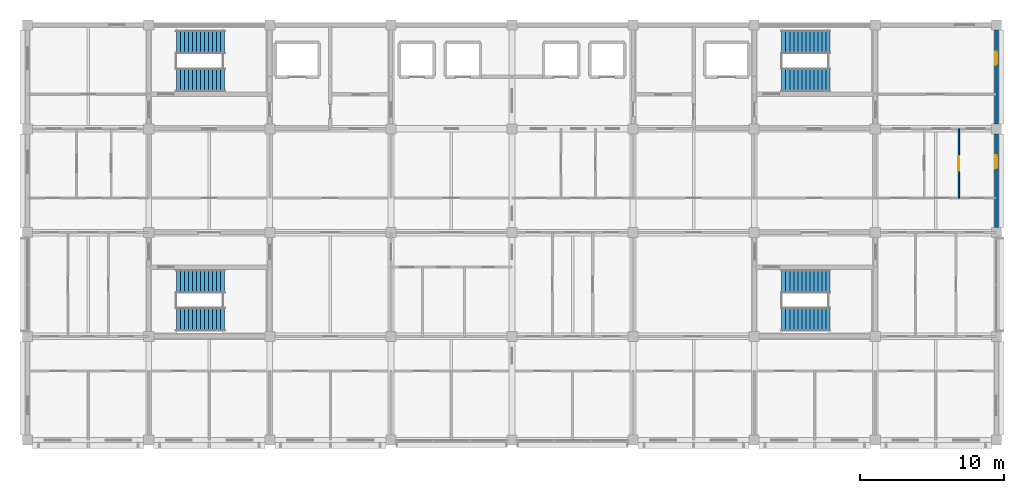
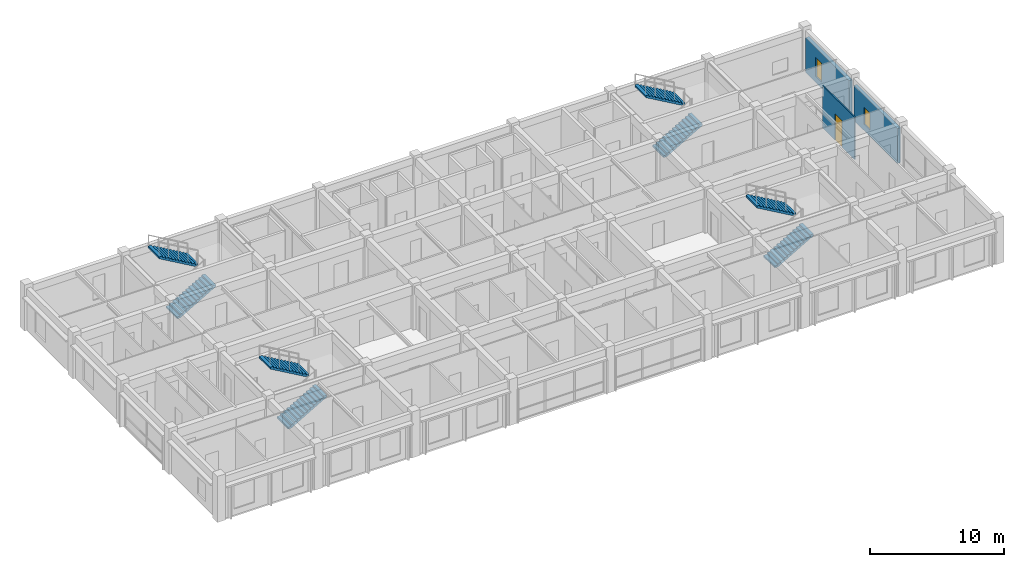
# One storey, part 17 of 19: 8 stair flights, 3 walls, 2 windows, 1 door, 3 openings, 4 elements without a shape of their own.
"""IFC4 building model written with IfcOpenShell, lengths in metres."""

from ifc_helpers import new_model, si_unit, direction, frame, frame_2d, origin, place, context, subcontext, project, spatial, polyline, rectangle, outline, extrude, material, layer, layer_set, type_object, element, fill, aggregate, save


model = new_model("IFC4")

# Units and contexts
model_context = context("Model", 3, precision=1e-05, world=origin(), true_north=direction((0.0, 1.0)))
body_context = subcontext(model_context, "Body", "Model", "MODEL_VIEW")
ifc_project = project(units=[si_unit("LENGTHUNIT", "METRE"), si_unit("AREAUNIT", "SQUARE_METRE"), si_unit("VOLUMEUNIT", "CUBIC_METRE"), si_unit("PLANEANGLEUNIT", "RADIAN"), si_unit("MASSUNIT", "GRAM", prefix="KILO")], contexts=[model_context])

# Site, building, storey
site_placement = place(None, origin())
site = spatial("IfcSite", under=ifc_project, at=site_placement, CompositionType="ELEMENT")
building_placement = place(site_placement, origin())
building = spatial("IfcBuilding", under=site, at=building_placement, Name="Chengyuan Square Courthouse", CompositionType="ELEMENT")
storey_placement = place(building_placement, frame((0.0, 0.0, 56.10009765625)))
storey = spatial("IfcBuildingStorey", under=building, at=storey_placement, Name="L13", CompositionType="ELEMENT", Elevation=56.10009765625)

# Wall, opening, window
ifc_material_1 = material(Name="Concrete C40", Category="concrete")
ifc_layer_1 = layer(ifc_material_1, 0.280029296875)
ifc_layer_set_1 = layer_set([ifc_layer_1], Name="Concrete C40")
wall_type_1 = type_object("IfcWallType", Name="WL-EW4", PredefinedType="STANDARD", material=ifc_layer_set_1)
wall_1_placement = place(storey_placement, frame((117.60009765625, 93.945068359375, 0.0), z_axis=(0.0, 0.0, 1.0), x_axis=(0.0, 1.0, 0.0)))
wall_1 = element("IfcWall", 1, at=wall_1_placement, inside=storey, type_object=wall_type_1, Name="Exterior Wall WL-L13-E505", PredefinedType="STANDARD", context=body_context, shape_type="SweptSolid", body=[
    extrude(rectangle(XDim=6.510009765625, YDim=0.280029296875, at=frame_2d((3.2548828125, 0.0))), origin(), (0.0, 0.0, 1.0), 3.199951171875),
])
opening_1_placement = place(wall_1_placement, frame((4.10498046875, 0.0, 0.550048828125)))
opening_1 = element("IfcOpeningElement", 2, at=opening_1_placement, cuts=wall_1, Name="Opening WN-237", PredefinedType="OPENING", context=body_context, shape_type="SweptSolid", body=[
    extrude(rectangle(XDim=0.89990234375, YDim=1.56005859375, at=frame_2d((0.449951171875, 0.780029296875))), frame((0.0, 0.152099609375, 0.0), z_axis=(0.0, -1.0, 0.0), x_axis=(1.0, 0.0, 0.0)), (0.0, 0.0, 1.0), 0.303955078125),
])
ifc_material_2 = material(Name="Thermally Broken Aluminium Triple Low-E Window", Category="aluminium")
window_type_1 = type_object("IfcWindowType", Name="WT-03", PartitioningType="SINGLE_PANEL", PredefinedType="WINDOW", material=ifc_material_2)
window_1_placement = place(opening_1_placement, origin())
window_1 = element("IfcWindow", 3, at=window_1_placement, inside=storey, type_object=window_type_1, Name="Facade Window WN-237", OverallHeight=1.56005859375, OverallWidth=0.89990234375, PartitioningType="SINGLE_PANEL", PredefinedType="WINDOW", context=body_context, shape_type="SweptSolid", body=[
    extrude(rectangle(XDim=0.89990234375, YDim=1.56005859375, at=frame_2d((0.449951171875, 0.780029296875))), frame((0.0, 0.030029296875, 0.0), z_axis=(0.0, -1.0, 0.0), x_axis=(1.0, 0.0, 0.0)), (0.0, 0.0, 1.0), 0.06005859375),
])
fill(opening_1, window_1)

wall_2_placement = place(storey_placement, frame((117.60009765625, 101.14501953125, 0.0), z_axis=(0.0, 0.0, 1.0), x_axis=(0.0, 1.0, 0.0)))
wall_2 = element("IfcWall", 4, at=wall_2_placement, inside=storey, type_object=wall_type_1, Name="Exterior Wall WL-L13-E507", PredefinedType="STANDARD", context=body_context, shape_type="SweptSolid", body=[
    extrude(rectangle(XDim=6.510009765625, YDim=0.280029296875, at=frame_2d((3.2548828125, 0.0))), origin(), (0.0, 0.0, 1.0), 3.199951171875),
])
opening_2_placement = place(wall_2_placement, frame((4.10498046875, 0.0, 0.550048828125)))
opening_2 = element("IfcOpeningElement", 5, at=opening_2_placement, cuts=wall_2, Name="Opening WN-239", PredefinedType="OPENING", context=body_context, shape_type="SweptSolid", body=[
    extrude(rectangle(XDim=0.89990234375, YDim=1.739990234375, at=frame_2d((0.449951171875, 0.8701171875))), frame((0.0, 0.152099609375, 0.0), z_axis=(0.0, -1.0, 0.0), x_axis=(1.0, 0.0, 0.0)), (0.0, 0.0, 1.0), 0.303955078125),
])
window_type_2 = type_object("IfcWindowType", Name="WT-04", PartitioningType="SINGLE_PANEL", PredefinedType="WINDOW", material=ifc_material_2)
window_2_placement = place(opening_2_placement, origin())
window_2 = element("IfcWindow", 6, at=window_2_placement, inside=storey, type_object=window_type_2, Name="Facade Window WN-239", OverallHeight=1.739990234375, OverallWidth=0.89990234375, PartitioningType="SINGLE_PANEL", PredefinedType="WINDOW", context=body_context, shape_type="SweptSolid", body=[
    extrude(rectangle(XDim=0.89990234375, YDim=1.739990234375, at=frame_2d((0.449951171875, 0.8701171875))), frame((0.0, 0.030029296875, 0.0), z_axis=(0.0, -1.0, 0.0), x_axis=(1.0, 0.0, 0.0)), (0.0, 0.0, 1.0), 0.06005859375),
])
fill(opening_2, window_2)

# Wall, opening, door
ifc_material_3 = material(Name="Gypsum Plasterboard Acoustic Stud Partition")
ifc_layer_2 = layer(ifc_material_3, 0.10009765625)
ifc_layer_set_2 = layer_set([ifc_layer_2], Name="Gypsum Plasterboard Acoustic Stud Partition")
wall_type_2 = type_object("IfcWallType", Name="WL-PT6", PredefinedType="STANDARD", material=ifc_layer_set_2)
wall_3_placement = place(storey_placement, frame((115.0, 96.0, 0.0), z_axis=(0.0, 0.0, 1.0), x_axis=(0.0, 1.0, 0.0)))
wall_3 = element("IfcWall", 7, at=wall_3_placement, inside=storey, type_object=wall_type_2, Name="Interior Wall WL-L13-I3898", PredefinedType="STANDARD", context=body_context, shape_type="SweptSolid", body=[
    extrude(rectangle(XDim=4.800048828125, YDim=0.10009765625, at=frame_2d((2.39990234375, 0.0))), origin(), (0.0, 0.0, 1.0), 3.849853515625),
])
opening_3_placement = place(wall_3_placement, frame((1.889892578125, 0.0, 0.0)))
opening_3 = element("IfcOpeningElement", 8, at=opening_3_placement, cuts=wall_3, Name="Opening DR-3197", PredefinedType="OPENING", context=body_context, shape_type="SweptSolid", body=[
    extrude(rectangle(XDim=1.02001953125, YDim=2.39990234375, at=frame_2d((0.510009765625, 1.199951171875))), frame((0.0, 0.06201171875, 0.0), z_axis=(0.0, -1.0, 0.0), x_axis=(1.0, 0.0, 0.0)), (0.0, 0.0, 1.0), 0.1240234375),
])
ifc_material_4 = material(Name="Acoustic Solid-Core Timber Door", Category="wood")
door_type = type_object("IfcDoorType", Name="DT-41", OperationType="NOTDEFINED", PredefinedType="DOOR", material=ifc_material_4)
door_placement = place(opening_3_placement, origin())
door = element("IfcDoor", 9, at=door_placement, inside=storey, type_object=door_type, Name="Interior Door DR-3197", OperationType="SINGLE_SWING_RIGHT", OverallHeight=2.39990234375, OverallWidth=1.02001953125, PredefinedType="DOOR", context=body_context, shape_type="SweptSolid", body=[
    extrude(rectangle(XDim=1.02001953125, YDim=2.39990234375, at=frame_2d((0.510009765625, 1.199951171875))), frame((0.0, 0.02490234375, 0.0), z_axis=(0.0, -1.0, 0.0), x_axis=(1.0, 0.0, 0.0)), (0.0, 0.0, 1.0), 0.050048828125),
])
fill(opening_3, door)

# Stair, stair flights
stair_type_1 = type_object("IfcStairType", Name="ST-TYPE-01", PredefinedType="HALF_TURN_STAIR", material=ifc_material_1)
stair_1_placement = place(storey_placement, origin())
stair_1 = element("IfcStair", 10, at=stair_1_placement, inside=storey, type_object=stair_type_1, Name="Smoke-Proof Exit Stair ST-1 (L13 to L14)", PredefinedType="HALF_TURN_STAIR")
stair_flight_type_1 = type_object("IfcStairFlightType", Name="STF-TYPE-01", PredefinedType="STRAIGHT", material=ifc_material_1)
stair_flight_1_placement = place(storey_placement, frame((60.7099609375, 104.175048828125, 0.0), z_axis=(0.0, 0.0, 1.0), x_axis=(1.0, 0.0, 0.0)))
stair_flight_1 = element("IfcStairFlight", 11, at=stair_flight_1_placement, type_object=stair_flight_type_1, Name="ST-1 flight 1", NumberOfRisers=13, NumberOfTreads=12, PredefinedType="STRAIGHT", RiserHeight=0.161538462, TreadLength=0.28, context=body_context, shape_type="SweptSolid", body=[
    extrude(outline(polyline([(0.0, 0.0), (0.0, 0.16162109375), (0.280029296875, 0.16162109375), (0.280029296875, 0.322998046875), (0.56005859375, 0.322998046875), (0.56005859375, 0.484619140625), (0.840087890625, 0.484619140625), (0.840087890625, 0.646240234375), (1.1201171875, 0.646240234375), (1.1201171875, 0.8076171875), (1.39990234375, 0.8076171875), (1.39990234375, 0.96923828125), (1.679931640625, 0.96923828125), (1.679931640625, 1.130859375), (1.9599609375, 1.130859375), (1.9599609375, 1.292236328125), (2.239990234375, 1.292236328125), (2.239990234375, 1.453857421875), (2.52001953125, 1.453857421875), (2.52001953125, 1.615478515625), (2.800048828125, 1.615478515625), (2.800048828125, 1.77685546875), (3.080078125, 1.77685546875), (3.080078125, 1.9384765625), (3.360107421875, 1.9384765625), (3.360107421875, 2.10009765625), (3.360107421875, 1.765380859375), (0.300048828125, 0.0), (0.0, 0.0)])), frame((0.0, 0.824951171875, 0.0), z_axis=(0.0, -1.0, 0.0), x_axis=(1.0, 0.0, 0.0)), (0.0, 0.0, 1.0), 1.64990234375),
])
stair_flight_2_placement = place(storey_placement, frame((64.070068359375, 106.824951171875, 2.099853515625), z_axis=(0.0, 0.0, 1.0), x_axis=(-1.0, 0.0, 0.0)))
stair_flight_2 = element("IfcStairFlight", 12, at=stair_flight_2_placement, type_object=stair_flight_type_1, Name="ST-1 flight 2", NumberOfRisers=13, NumberOfTreads=12, PredefinedType="STRAIGHT", RiserHeight=0.161538462, TreadLength=0.28, context=body_context, shape_type="SweptSolid", body=[
    extrude(outline(polyline([(0.0, 0.0), (0.0, 0.16162109375), (0.280029296875, 0.16162109375), (0.280029296875, 0.322998046875), (0.56005859375, 0.322998046875), (0.56005859375, 0.484619140625), (0.840087890625, 0.484619140625), (0.840087890625, 0.646240234375), (1.1201171875, 0.646240234375), (1.1201171875, 0.8076171875), (1.39990234375, 0.8076171875), (1.39990234375, 0.96923828125), (1.679931640625, 0.96923828125), (1.679931640625, 1.130859375), (1.9599609375, 1.130859375), (1.9599609375, 1.292236328125), (2.239990234375, 1.292236328125), (2.239990234375, 1.453857421875), (2.52001953125, 1.453857421875), (2.52001953125, 1.615478515625), (2.800048828125, 1.615478515625), (2.800048828125, 1.77685546875), (3.080078125, 1.77685546875), (3.080078125, 1.9384765625), (3.360107421875, 1.9384765625), (3.360107421875, 2.10009765625), (3.360107421875, 1.765380859375), (0.300048828125, 0.0), (0.0, 0.0)])), frame((0.0, 0.824951171875, 0.0), z_axis=(0.0, -1.0, 0.0), x_axis=(1.0, 0.0, 0.0)), (0.0, 0.0, 1.0), 1.64990234375),
])
aggregate(stair_1, [stair_flight_1, stair_flight_2])

stair_type_2 = type_object("IfcStairType", Name="ST-TYPE-02", PredefinedType="HALF_TURN_STAIR", material=ifc_material_1)
stair_2_placement = place(storey_placement, origin())
stair_2 = element("IfcStair", 13, at=stair_2_placement, inside=storey, type_object=stair_type_2, Name="Smoke-Proof Exit Stair ST-2 (L13 to L14)", PredefinedType="HALF_TURN_STAIR")
stair_flight_type_2 = type_object("IfcStairFlightType", Name="STF-TYPE-02", PredefinedType="STRAIGHT", material=ifc_material_1)
stair_flight_3_placement = place(storey_placement, frame((102.7099609375, 104.175048828125, 0.0), z_axis=(0.0, 0.0, 1.0), x_axis=(1.0, 0.0, 0.0)))
stair_flight_3 = element("IfcStairFlight", 14, at=stair_flight_3_placement, type_object=stair_flight_type_2, Name="ST-2 flight 1", NumberOfRisers=13, NumberOfTreads=12, PredefinedType="STRAIGHT", RiserHeight=0.161538462, TreadLength=0.28, context=body_context, shape_type="SweptSolid", body=[
    extrude(outline(polyline([(0.0, 0.0), (0.0, 0.16162109375), (0.280029296875, 0.16162109375), (0.280029296875, 0.322998046875), (0.56005859375, 0.322998046875), (0.56005859375, 0.484619140625), (0.840087890625, 0.484619140625), (0.840087890625, 0.646240234375), (1.1201171875, 0.646240234375), (1.1201171875, 0.8076171875), (1.39990234375, 0.8076171875), (1.39990234375, 0.96923828125), (1.679931640625, 0.96923828125), (1.679931640625, 1.130859375), (1.9599609375, 1.130859375), (1.9599609375, 1.292236328125), (2.239990234375, 1.292236328125), (2.239990234375, 1.453857421875), (2.52001953125, 1.453857421875), (2.52001953125, 1.615478515625), (2.800048828125, 1.615478515625), (2.800048828125, 1.77685546875), (3.080078125, 1.77685546875), (3.080078125, 1.9384765625), (3.360107421875, 1.9384765625), (3.360107421875, 2.10009765625), (3.360107421875, 1.765380859375), (0.300048828125, 0.0), (0.0, 0.0)])), frame((0.0, 0.824951171875, 0.0), z_axis=(0.0, -1.0, 0.0), x_axis=(1.0, 0.0, 0.0)), (0.0, 0.0, 1.0), 1.64990234375),
])
stair_flight_4_placement = place(storey_placement, frame((106.070068359375, 106.824951171875, 2.099853515625), z_axis=(0.0, 0.0, 1.0), x_axis=(-1.0, 0.0, 0.0)))
stair_flight_4 = element("IfcStairFlight", 15, at=stair_flight_4_placement, type_object=stair_flight_type_2, Name="ST-2 flight 2", NumberOfRisers=13, NumberOfTreads=12, PredefinedType="STRAIGHT", RiserHeight=0.161538462, TreadLength=0.28, context=body_context, shape_type="SweptSolid", body=[
    extrude(outline(polyline([(0.0, 0.0), (0.0, 0.16162109375), (0.280029296875, 0.16162109375), (0.280029296875, 0.322998046875), (0.56005859375, 0.322998046875), (0.56005859375, 0.484619140625), (0.840087890625, 0.484619140625), (0.840087890625, 0.646240234375), (1.1201171875, 0.646240234375), (1.1201171875, 0.8076171875), (1.39990234375, 0.8076171875), (1.39990234375, 0.96923828125), (1.679931640625, 0.96923828125), (1.679931640625, 1.130859375), (1.9599609375, 1.130859375), (1.9599609375, 1.292236328125), (2.239990234375, 1.292236328125), (2.239990234375, 1.453857421875), (2.52001953125, 1.453857421875), (2.52001953125, 1.615478515625), (2.800048828125, 1.615478515625), (2.800048828125, 1.77685546875), (3.080078125, 1.77685546875), (3.080078125, 1.9384765625), (3.360107421875, 1.9384765625), (3.360107421875, 2.10009765625), (3.360107421875, 1.765380859375), (0.300048828125, 0.0), (0.0, 0.0)])), frame((0.0, 0.824951171875, 0.0), z_axis=(0.0, -1.0, 0.0), x_axis=(1.0, 0.0, 0.0)), (0.0, 0.0, 1.0), 1.64990234375),
])
aggregate(stair_2, [stair_flight_3, stair_flight_4])

stair_type_3 = type_object("IfcStairType", Name="ST-TYPE-03", PredefinedType="HALF_TURN_STAIR", material=ifc_material_1)
stair_3_placement = place(storey_placement, origin())
stair_3 = element("IfcStair", 16, at=stair_3_placement, inside=storey, type_object=stair_type_3, Name="Smoke-Proof Exit Stair ST-3 (L13 to L14)", PredefinedType="HALF_TURN_STAIR")
stair_flight_type_3 = type_object("IfcStairFlightType", Name="STF-TYPE-03", PredefinedType="STRAIGHT", material=ifc_material_1)
stair_flight_5_placement = place(storey_placement, frame((60.7099609375, 87.574951171875, 0.0), z_axis=(0.0, 0.0, 1.0), x_axis=(1.0, 0.0, 0.0)))
stair_flight_5 = element("IfcStairFlight", 17, at=stair_flight_5_placement, type_object=stair_flight_type_3, Name="ST-3 flight 1", NumberOfRisers=13, NumberOfTreads=12, PredefinedType="STRAIGHT", RiserHeight=0.161538462, TreadLength=0.28, context=body_context, shape_type="SweptSolid", body=[
    extrude(outline(polyline([(0.0, 0.0), (0.0, 0.16162109375), (0.280029296875, 0.16162109375), (0.280029296875, 0.322998046875), (0.56005859375, 0.322998046875), (0.56005859375, 0.484619140625), (0.840087890625, 0.484619140625), (0.840087890625, 0.646240234375), (1.1201171875, 0.646240234375), (1.1201171875, 0.8076171875), (1.39990234375, 0.8076171875), (1.39990234375, 0.96923828125), (1.679931640625, 0.96923828125), (1.679931640625, 1.130859375), (1.9599609375, 1.130859375), (1.9599609375, 1.292236328125), (2.239990234375, 1.292236328125), (2.239990234375, 1.453857421875), (2.52001953125, 1.453857421875), (2.52001953125, 1.615478515625), (2.800048828125, 1.615478515625), (2.800048828125, 1.77685546875), (3.080078125, 1.77685546875), (3.080078125, 1.9384765625), (3.360107421875, 1.9384765625), (3.360107421875, 2.10009765625), (3.360107421875, 1.765380859375), (0.300048828125, 0.0), (0.0, 0.0)])), frame((0.0, 0.824951171875, 0.0), z_axis=(0.0, -1.0, 0.0), x_axis=(1.0, 0.0, 0.0)), (0.0, 0.0, 1.0), 1.64990234375),
])
stair_flight_6_placement = place(storey_placement, frame((64.070068359375, 90.22509765625, 2.099853515625), z_axis=(0.0, 0.0, 1.0), x_axis=(-1.0, 0.0, 0.0)))
stair_flight_6 = element("IfcStairFlight", 18, at=stair_flight_6_placement, type_object=stair_flight_type_3, Name="ST-3 flight 2", NumberOfRisers=13, NumberOfTreads=12, PredefinedType="STRAIGHT", RiserHeight=0.161538462, TreadLength=0.28, context=body_context, shape_type="SweptSolid", body=[
    extrude(outline(polyline([(0.0, 0.0), (0.0, 0.16162109375), (0.280029296875, 0.16162109375), (0.280029296875, 0.322998046875), (0.56005859375, 0.322998046875), (0.56005859375, 0.484619140625), (0.840087890625, 0.484619140625), (0.840087890625, 0.646240234375), (1.1201171875, 0.646240234375), (1.1201171875, 0.8076171875), (1.39990234375, 0.8076171875), (1.39990234375, 0.96923828125), (1.679931640625, 0.96923828125), (1.679931640625, 1.130859375), (1.9599609375, 1.130859375), (1.9599609375, 1.292236328125), (2.239990234375, 1.292236328125), (2.239990234375, 1.453857421875), (2.52001953125, 1.453857421875), (2.52001953125, 1.615478515625), (2.800048828125, 1.615478515625), (2.800048828125, 1.77685546875), (3.080078125, 1.77685546875), (3.080078125, 1.9384765625), (3.360107421875, 1.9384765625), (3.360107421875, 2.10009765625), (3.360107421875, 1.765380859375), (0.300048828125, 0.0), (0.0, 0.0)])), frame((0.0, 0.824951171875, 0.0), z_axis=(0.0, -1.0, 0.0), x_axis=(1.0, 0.0, 0.0)), (0.0, 0.0, 1.0), 1.64990234375),
])
aggregate(stair_3, [stair_flight_5, stair_flight_6])

stair_type_4 = type_object("IfcStairType", Name="ST-TYPE-04", PredefinedType="HALF_TURN_STAIR", material=ifc_material_1)
stair_4_placement = place(storey_placement, origin())
stair_4 = element("IfcStair", 19, at=stair_4_placement, inside=storey, type_object=stair_type_4, Name="Smoke-Proof Exit Stair ST-4 (L13 to L14)", PredefinedType="HALF_TURN_STAIR")
stair_flight_type_4 = type_object("IfcStairFlightType", Name="STF-TYPE-04", PredefinedType="STRAIGHT", material=ifc_material_1)
stair_flight_7_placement = place(storey_placement, frame((102.7099609375, 87.574951171875, 0.0), z_axis=(0.0, 0.0, 1.0), x_axis=(1.0, 0.0, 0.0)))
stair_flight_7 = element("IfcStairFlight", 20, at=stair_flight_7_placement, type_object=stair_flight_type_4, Name="ST-4 flight 1", NumberOfRisers=13, NumberOfTreads=12, PredefinedType="STRAIGHT", RiserHeight=0.161538462, TreadLength=0.28, context=body_context, shape_type="SweptSolid", body=[
    extrude(outline(polyline([(0.0, 0.0), (0.0, 0.16162109375), (0.280029296875, 0.16162109375), (0.280029296875, 0.322998046875), (0.56005859375, 0.322998046875), (0.56005859375, 0.484619140625), (0.840087890625, 0.484619140625), (0.840087890625, 0.646240234375), (1.1201171875, 0.646240234375), (1.1201171875, 0.8076171875), (1.39990234375, 0.8076171875), (1.39990234375, 0.96923828125), (1.679931640625, 0.96923828125), (1.679931640625, 1.130859375), (1.9599609375, 1.130859375), (1.9599609375, 1.292236328125), (2.239990234375, 1.292236328125), (2.239990234375, 1.453857421875), (2.52001953125, 1.453857421875), (2.52001953125, 1.615478515625), (2.800048828125, 1.615478515625), (2.800048828125, 1.77685546875), (3.080078125, 1.77685546875), (3.080078125, 1.9384765625), (3.360107421875, 1.9384765625), (3.360107421875, 2.10009765625), (3.360107421875, 1.765380859375), (0.300048828125, 0.0), (0.0, 0.0)])), frame((0.0, 0.824951171875, 0.0), z_axis=(0.0, -1.0, 0.0), x_axis=(1.0, 0.0, 0.0)), (0.0, 0.0, 1.0), 1.64990234375),
])
stair_flight_8_placement = place(storey_placement, frame((106.070068359375, 90.22509765625, 2.099853515625), z_axis=(0.0, 0.0, 1.0), x_axis=(-1.0, 0.0, 0.0)))
stair_flight_8 = element("IfcStairFlight", 21, at=stair_flight_8_placement, type_object=stair_flight_type_4, Name="ST-4 flight 2", NumberOfRisers=13, NumberOfTreads=12, PredefinedType="STRAIGHT", RiserHeight=0.161538462, TreadLength=0.28, context=body_context, shape_type="SweptSolid", body=[
    extrude(outline(polyline([(0.0, 0.0), (0.0, 0.16162109375), (0.280029296875, 0.16162109375), (0.280029296875, 0.322998046875), (0.56005859375, 0.322998046875), (0.56005859375, 0.484619140625), (0.840087890625, 0.484619140625), (0.840087890625, 0.646240234375), (1.1201171875, 0.646240234375), (1.1201171875, 0.8076171875), (1.39990234375, 0.8076171875), (1.39990234375, 0.96923828125), (1.679931640625, 0.96923828125), (1.679931640625, 1.130859375), (1.9599609375, 1.130859375), (1.9599609375, 1.292236328125), (2.239990234375, 1.292236328125), (2.239990234375, 1.453857421875), (2.52001953125, 1.453857421875), (2.52001953125, 1.615478515625), (2.800048828125, 1.615478515625), (2.800048828125, 1.77685546875), (3.080078125, 1.77685546875), (3.080078125, 1.9384765625), (3.360107421875, 1.9384765625), (3.360107421875, 2.10009765625), (3.360107421875, 1.765380859375), (0.300048828125, 0.0), (0.0, 0.0)])), frame((0.0, 0.824951171875, 0.0), z_axis=(0.0, -1.0, 0.0), x_axis=(1.0, 0.0, 0.0)), (0.0, 0.0, 1.0), 1.64990234375),
])
aggregate(stair_4, [stair_flight_7, stair_flight_8])

save(model, "model.ifc")
